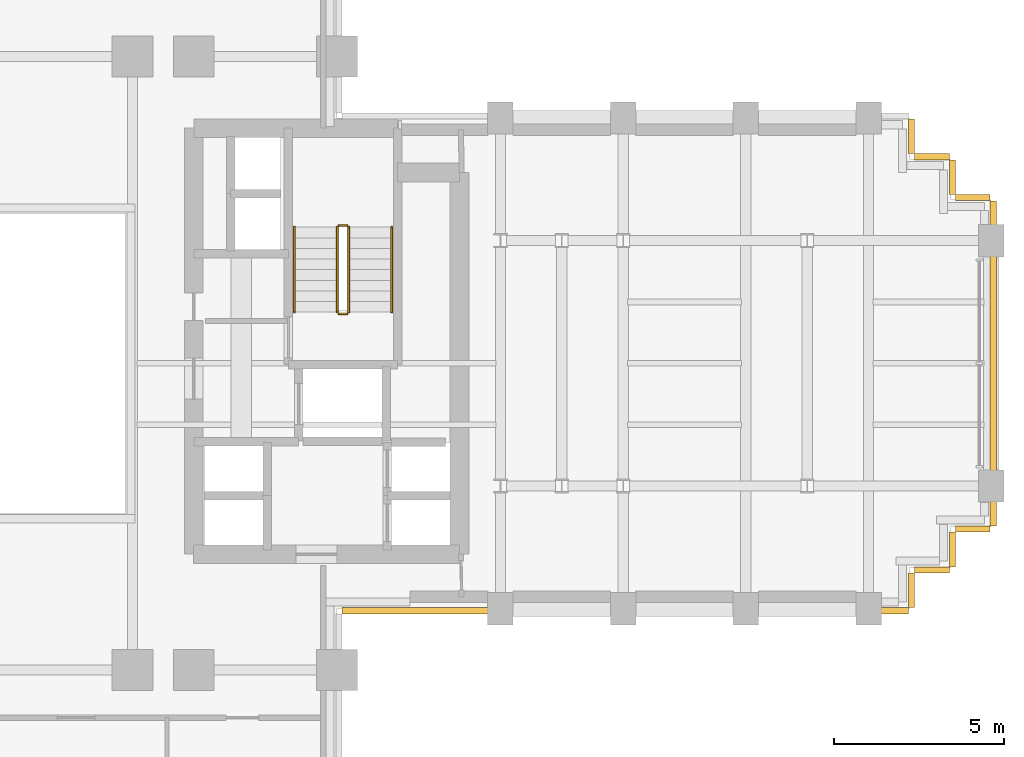
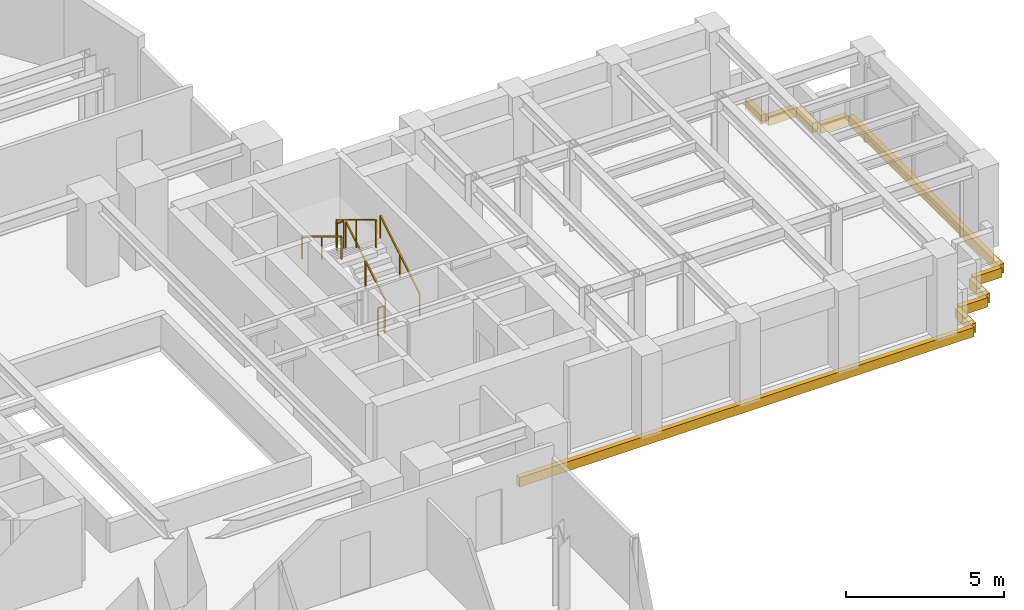
# One storey, part 15 of 16: 10 coverings, 6 railings.
"""IFC4 building model written with IfcOpenShell, lengths in metres."""

from ifc_helpers import new_model, si_unit, direction, frame, origin, origin_2d, place, context, subcontext, project, spatial, rectangle, extrude, source, transform, mapped, material, layer, layer_set, type_object, element, save


model = new_model("IFC4")

# Units and contexts
model_context = context("Model", 3, precision=1e-05, world=origin(), true_north=direction((0.0, 1.0)))
body_context = subcontext(model_context, "Body", "Model", "MODEL_VIEW")
ifc_project = project(units=[si_unit("LENGTHUNIT", "METRE"), si_unit("AREAUNIT", "SQUARE_METRE"), si_unit("VOLUMEUNIT", "CUBIC_METRE"), si_unit("PLANEANGLEUNIT", "RADIAN"), si_unit("MASSUNIT", "GRAM", prefix="KILO")], contexts=[model_context])

# Site, building, storey
site_placement = place(None, origin())
site = spatial("IfcSite", under=ifc_project, at=site_placement, CompositionType="ELEMENT")
building_placement = place(site_placement, origin())
building = spatial("IfcBuilding", under=site, at=building_placement, Name="Keilestroom Media Tower", CompositionType="ELEMENT")
storey_placement = place(building_placement, frame((0.0, 0.0, 74.800048828125)))
storey = spatial("IfcBuildingStorey", under=building, at=storey_placement, Name="L19", CompositionType="ELEMENT", Elevation=74.800048828125)

# Railings
ifc_material_1 = material(Name="Brushed Stainless Steel 1.4301", Category="steel")
railing_type_1 = type_object("IfcRailingType", Name="Stair-Pitch-Handrail-920", PredefinedType="HANDRAIL", material=ifc_material_1)
railing_1_placement = place(storey_placement, frame((11.2099609375, 1.5, 0.188720703125)))
element("IfcRailing", 1, at=railing_1_placement, inside=storey, type_object=railing_type_1, Name="L19 ST-2 stair handrail 1", PredefinedType="HANDRAIL", context=body_context, shape_type="SweptSolid", body=[
    extrude(rectangle(XDim=0.048095703125, YDim=0.048095703125, at=origin_2d()), frame((0.0, 0.0, 0.8759765625), z_axis=(0.0, 0.855433747314, 0.517912255074), x_axis=(-1.0, 0.0, 0.0)), (0.0, 0.0, 1.0), 2.91796875),
    extrude(rectangle(XDim=0.0419921875, YDim=0.0419921875, at=origin_2d()), origin(), (0.0, 0.0, 1.0), 0.84375),
    extrude(rectangle(XDim=0.0419921875, YDim=0.0419921875, at=origin_2d()), frame((0.0, 1.248046875, 0.755615234375)), (0.0, 0.0, 1.0), 0.84375),
    extrude(rectangle(XDim=0.0419921875, YDim=0.0419921875, at=origin_2d()), frame((0.0, 2.49609375, 1.51123046875)), (0.0, 0.0, 1.0), 0.84375),
])
railing_2_placement = place(storey_placement, frame((8.35009765625, 3.99609375, 1.888916015625)))
element("IfcRailing", 2, at=railing_2_placement, inside=storey, type_object=railing_type_1, Name="L19 ST-2 stair handrail 2", PredefinedType="HANDRAIL", context=body_context, shape_type="SweptSolid", body=[
    extrude(rectangle(XDim=0.048095703125, YDim=0.048095703125, at=origin_2d()), frame((0.0, 0.0, 0.8759765625), z_axis=(0.0, -0.855470815493, 0.517851024754), x_axis=(1.0, 0.0, 0.0)), (0.0, 0.0, 1.0), 2.917724609375),
    extrude(rectangle(XDim=0.0419921875, YDim=0.0419921875, at=origin_2d()), origin(), (0.0, 0.0, 1.0), 0.84375),
    extrude(rectangle(XDim=0.0419921875, YDim=0.0419921875, at=origin_2d()), frame((0.0, -1.248046875, 0.75537109375)), (0.0, 0.0, 1.0), 0.84375),
    extrude(rectangle(XDim=0.0419921875, YDim=0.0419921875, at=origin_2d()), frame((0.0, -2.49609375, 1.510986328125)), (0.0, 0.0, 1.0), 0.84375),
])
ifc_material_2 = material(Name="Painted Steel Balustrade", Category="steel")
railing_type_2 = type_object("IfcRailingType", Name="Stair-Well-And-Landing-Guard-1100", PredefinedType="GUARDRAIL", material=ifc_material_2)
railing_3_placement = place(storey_placement, frame((9.949951171875, 1.5, 0.188720703125)))
element("IfcRailing", 3, at=railing_3_placement, inside=storey, type_object=railing_type_2, Name="L19 ST-2 stair guard 1", PredefinedType="GUARDRAIL", context=body_context, shape_type="SweptSolid", body=[
    extrude(rectangle(XDim=0.048095703125, YDim=0.048095703125, at=origin_2d()), frame((0.0, 0.0, 1.076171875), z_axis=(0.0, 0.855433747314, 0.517912255074), x_axis=(-1.0, 0.0, 0.0)), (0.0, 0.0, 1.0), 2.91796875),
    extrude(rectangle(XDim=0.0419921875, YDim=0.0419921875, at=origin_2d()), origin(), (0.0, 0.0, 1.0), 1.0439453125),
    extrude(rectangle(XDim=0.0419921875, YDim=0.0419921875, at=origin_2d()), frame((0.0, 1.248046875, 0.755615234375)), (0.0, 0.0, 1.0), 1.0439453125),
    extrude(rectangle(XDim=0.0419921875, YDim=0.0419921875, at=origin_2d()), frame((0.0, 2.49609375, 1.51123046875)), (0.0, 0.0, 1.0), 1.0439453125),
])
railing_4_placement = place(storey_placement, frame((9.89990234375, 4.0458984375, 1.699951171875)))
element("IfcRailing", 4, at=railing_4_placement, inside=storey, type_object=railing_type_2, Name="L19 ST-2 stair guard 2", PredefinedType="GUARDRAIL", context=body_context, shape_type="SweptSolid", body=[
    extrude(rectangle(XDim=0.048095703125, YDim=0.048095703125, at=origin_2d()), frame((0.0, 0.0, 1.076171875), z_axis=(-1.0, 0.0, 0.0), x_axis=(0.0, -1.0, 0.0)), (0.0, 0.0, 1.0), 0.239990234375),
    extrude(rectangle(XDim=0.0419921875, YDim=0.0419921875, at=origin_2d()), origin(), (0.0, 0.0, 1.0), 1.0439453125),
    extrude(rectangle(XDim=0.0419921875, YDim=0.0419921875, at=origin_2d()), frame((-0.239990234375, 0.0, 0.0)), (0.0, 0.0, 1.0), 1.0439453125),
])
railing_5_placement = place(storey_placement, frame((9.610107421875, 3.99609375, 1.888916015625)))
element("IfcRailing", 5, at=railing_5_placement, inside=storey, type_object=railing_type_2, Name="L19 ST-2 stair guard 3", PredefinedType="GUARDRAIL", context=body_context, shape_type="SweptSolid", body=[
    extrude(rectangle(XDim=0.048095703125, YDim=0.048095703125, at=origin_2d()), frame((0.0, 0.0, 1.076171875), z_axis=(0.0, -0.855470815493, 0.517851024754), x_axis=(1.0, 0.0, 0.0)), (0.0, 0.0, 1.0), 2.917724609375),
    extrude(rectangle(XDim=0.0419921875, YDim=0.0419921875, at=origin_2d()), origin(), (0.0, 0.0, 1.0), 1.0439453125),
    extrude(rectangle(XDim=0.0419921875, YDim=0.0419921875, at=origin_2d()), frame((0.0, -1.248046875, 0.75537109375)), (0.0, 0.0, 1.0), 1.0439453125),
    extrude(rectangle(XDim=0.0419921875, YDim=0.0419921875, at=origin_2d()), frame((0.0, -2.49609375, 1.510986328125)), (0.0, 0.0, 1.0), 1.0439453125),
])
railing_6_placement = place(storey_placement, frame((9.89990234375, 1.449951171875, 0.0)))
element("IfcRailing", 6, at=railing_6_placement, inside=storey, type_object=railing_type_2, Name="L19 ST-2 stair guard 4", PredefinedType="GUARDRAIL", context=body_context, shape_type="SweptSolid", body=[
    extrude(rectangle(XDim=0.048095703125, YDim=0.048095703125, at=origin_2d()), frame((0.0, 0.0, 1.076171875), z_axis=(-1.0, 0.0, 0.0), x_axis=(0.0, -1.0, 0.0)), (0.0, 0.0, 1.0), 0.239990234375),
    extrude(rectangle(XDim=0.0419921875, YDim=0.0419921875, at=origin_2d()), origin(), (0.0, 0.0, 1.0), 1.0439453125),
    extrude(rectangle(XDim=0.0419921875, YDim=0.0419921875, at=origin_2d()), frame((-0.239990234375, 0.0, 0.0)), (0.0, 0.0, 1.0), 1.0439453125),
])

# Coverings
ifc_material_3 = material(Name="Precast concrete C40/50", Category="concrete")
ifc_layer = layer(ifc_material_3, 0.1201171875)
ifc_layer_set = layer_set([ifc_layer], Name="Precast concrete C40/50")
covering_type = type_object("IfcCoveringType", Name="Exterior-Precast-Spandrel-Cladding-Panel-120", PredefinedType="CLADDING", material=ifc_layer_set)
shared_shape_1 = source(origin(), body_context, "Body", "SweptSolid", [
    extrude(rectangle(XDim=1.02001953125, YDim=0.179931640625, at=origin_2d()), origin(), (0.0, 0.0, 1.0), 0.360107421875),
])
for number, where, z_axis, x_axis, name in (
    (7, (28.260009765625, -4.860107421875, -0.5400390625), (0.0, 0.0, 1.0), (-1.0, 0.0, 0.0), "L19 Precast Slab-Edge Fascia Cornice 01"),
    (8, (27.659912109375, -5.4599609375, -0.5400390625), (0.0, 0.0, 1.0), (0.0, -1.0, 0.0), "L19 Precast Slab-Edge Fascia Cornice 02"),
    (9, (27.06005859375, -6.06005859375, -0.5400390625), (0.0, 0.0, 1.0), (-1.0, 0.0, 0.0), "L19 Precast Slab-Edge Fascia Cornice 03"),
    (10, (26.4599609375, -6.659912109375, -0.5400390625), (0.0, 0.0, 1.0), (0.0, -1.0, 0.0), "L19 Precast Slab-Edge Fascia Cornice 04"),
    (11, (26.4599609375, 6.659912109375, -0.5400390625), (0.0, 0.0, 1.0), (0.0, -1.0, 0.0), "L19 Precast Slab-Edge Fascia Cornice 38"),
    (12, (27.06005859375, 6.06005859375, -0.5400390625), (0.0, 0.0, 1.0), (1.0, 0.0, 0.0), "L19 Precast Slab-Edge Fascia Cornice 39"),
    (13, (27.659912109375, 5.4599609375, -0.5400390625), (0.0, 0.0, 1.0), (0.0, -1.0, 0.0), "L19 Precast Slab-Edge Fascia Cornice 40"),
    (14, (28.260009765625, 4.860107421875, -0.5400390625), (0.0, 0.0, 1.0), (1.0, 0.0, 0.0), "L19 Precast Slab-Edge Fascia Cornice 41"),
):
    element("IfcCovering", number, at=place(storey_placement, frame(where, z_axis=z_axis, x_axis=x_axis)), inside=storey, type_object=covering_type, Name=name, PredefinedType="CLADDING", context=body_context, shape_type="MappedRepresentation", body=[
        mapped(shared_shape_1, transform((0.0, 0.0, 0.0), x_axis=(1.0, 0.0, 0.0), y_axis=(0.0, 1.0, 0.0), z_axis=(0.0, 0.0, 1.0), scale=1.0)),
    ])
shared_shape_2 = source(origin(), body_context, "Body", "SweptSolid", [
    extrude(rectangle(XDim=16.6201171875, YDim=0.179931640625, at=origin_2d()), origin(), (0.0, 0.0, 1.0), 0.360107421875),
])
covering_1_placement = place(storey_placement, frame((18.06005859375, -7.260009765625, -0.5400390625), z_axis=(0.0, 0.0, 1.0), x_axis=(-1.0, 0.0, 0.0)))
element("IfcCovering", 15, at=covering_1_placement, inside=storey, type_object=covering_type, Name="L19 Precast Slab-Edge Fascia Cornice 05", PredefinedType="CLADDING", context=body_context, shape_type="MappedRepresentation", body=[
    mapped(shared_shape_2, transform((0.0, 0.0, 0.0), x_axis=(1.0, 0.0, 0.0), y_axis=(0.0, 1.0, 0.0), z_axis=(0.0, 0.0, 1.0), scale=1.0)),
])
shared_shape_3 = source(origin(), body_context, "Body", "SweptSolid", [
    extrude(rectangle(XDim=9.5400390625, YDim=0.179931640625, at=origin_2d()), origin(), (0.0, 0.0, 1.0), 0.360107421875),
])
covering_2_placement = place(storey_placement, frame((28.860107421875, 0.0, -0.5400390625), z_axis=(0.0, 0.0, 1.0), x_axis=(0.0, -1.0, 0.0)))
element("IfcCovering", 16, at=covering_2_placement, inside=storey, type_object=covering_type, Name="L19 Precast Slab-Edge Fascia Cornice 42", PredefinedType="CLADDING", context=body_context, shape_type="MappedRepresentation", body=[
    mapped(shared_shape_3, transform((0.0, 0.0, 0.0), x_axis=(1.0, 0.0, 0.0), y_axis=(0.0, 1.0, 0.0), z_axis=(0.0, 0.0, 1.0), scale=1.0)),
])

save(model, "model.ifc")
